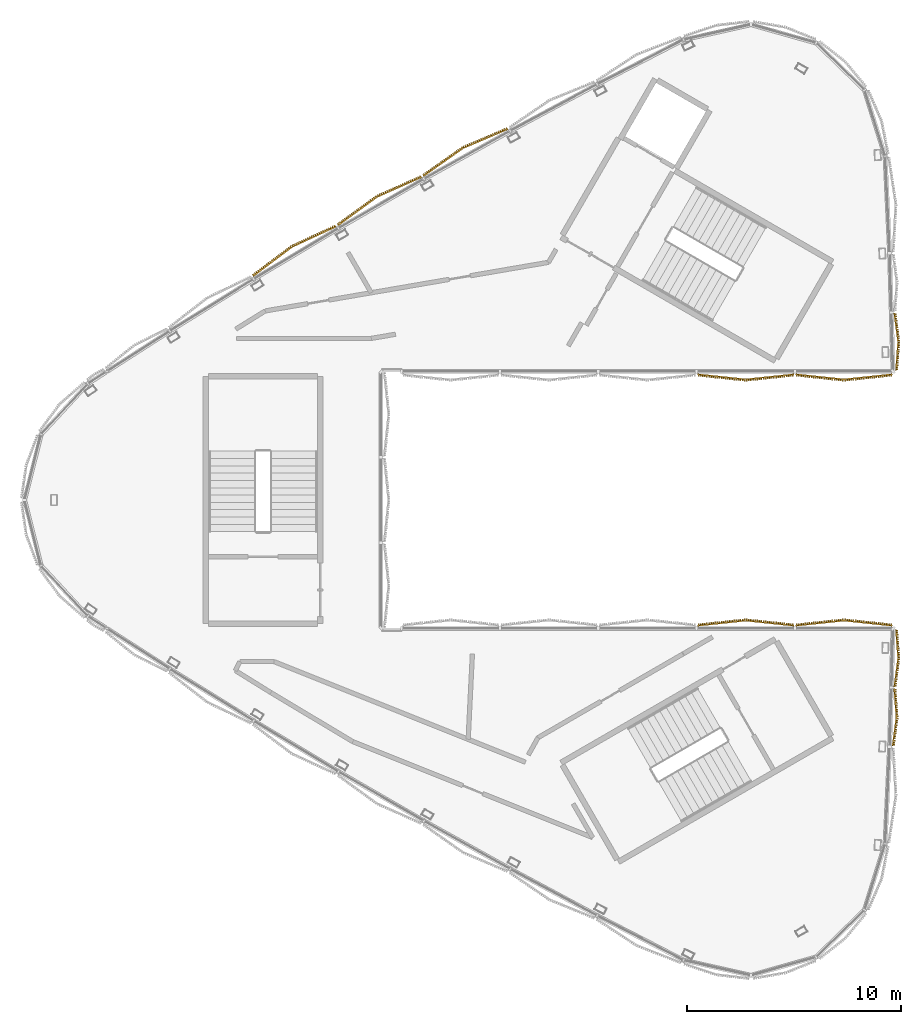
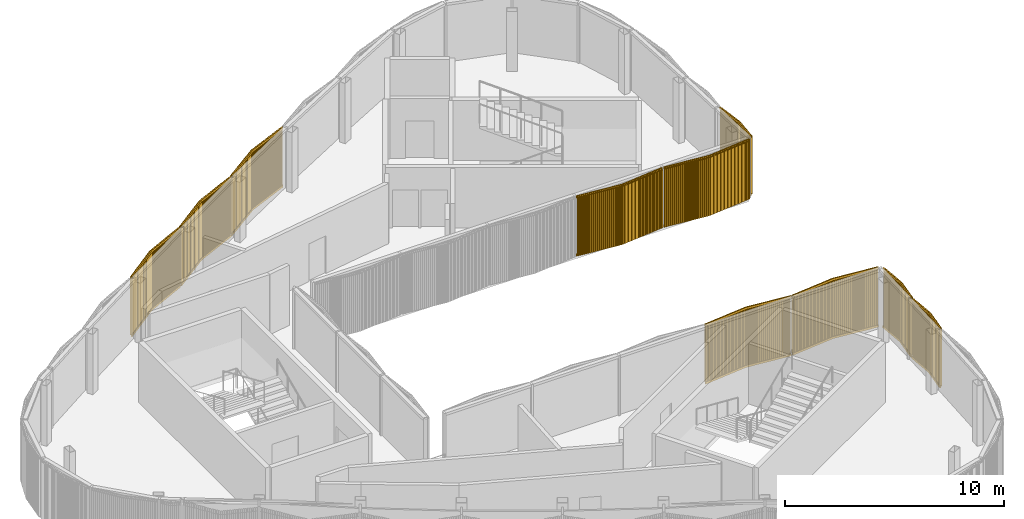
# One storey, part 13 of 16: 10 coverings.
"""IFC4 building model written with IfcOpenShell, lengths in metres."""

import ifcopenshell
import ifcopenshell.guid

model = None  # the IFC model being written
_history = None  # IfcOwnerHistory: only IFC2X3 demands one
_inside = {}  # id of a spatial element -> (the spatial element, [elements in it])
_under = {}  # id of a project, library or spatial element -> (it, [spatial elements below it])
_declared = {}  # id of a project -> (the project, [libraries it declares])
_typed = {}  # id of a type object -> (the type object, [elements of that type])
_made_of = {}  # id of a material, layer set ... -> (it, [elements and type objects made of it])


def new_model(schema):
    """Start an empty IFC model of exactly this schema.

    Asked for "IFC4X3", IfcOpenShell would pick the latest addendum, in which some entities
    have other attributes; the version numbers below select the first issue.
    IFC2X3 requires an IfcOwnerHistory on every rooted entity: one is made here for all.
    """
    global model, _history
    if schema == "IFC4X3":
        model = ifcopenshell.file(schema_version=(4, 3, 0, 0))
    else:
        model = ifcopenshell.file(schema=schema)
    _inside.clear()
    _under.clear()
    _declared.clear()
    _typed.clear()
    _made_of.clear()
    _history = None
    if model.schema == "IFC2X3":
        org = make("IfcOrganization", Name="unknown")
        user = make(
            "IfcPersonAndOrganization",
            ThePerson=make("IfcPerson", FamilyName="unknown"),
            TheOrganization=org,
        )
        app = make(
            "IfcApplication",
            ApplicationDeveloper=org,
            Version="unknown",
            ApplicationFullName="unknown",
            ApplicationIdentifier="unknown",
        )
        _history = make(
            "IfcOwnerHistory",
            OwningUser=user,
            OwningApplication=app,
            ChangeAction="ADDED",
            CreationDate=0,
        )
    return model


def make(cls, **values):
    """One entity of the class cls with the attributes given. An attribute that is None is left unset."""
    return model.create_entity(
        cls, **{name: value for name, value in values.items() if value is not None}
    )


def rooted(cls, **values):
    """An entity with a GlobalId (a new one), such as an element, a storey or a relation."""
    return make(cls, GlobalId=ifcopenshell.guid.new(), OwnerHistory=_history, **values)


def si_unit(unit_type, name, prefix=None):
    """IfcSIUnit, for example si_unit("LENGTHUNIT", "METRE", prefix="MILLI")."""
    return make("IfcSIUnit", UnitType=unit_type, Prefix=prefix, Name=name)


def assignment(units):
    """IfcUnitAssignment: the units of a project."""
    return None if units is None else make("IfcUnitAssignment", Units=units)


def point(xyz):
    """IfcCartesianPoint."""
    return None if xyz is None else make("IfcCartesianPoint", Coordinates=xyz)


def direction(xyz):
    """IfcDirection."""
    return None if xyz is None else make("IfcDirection", DirectionRatios=xyz)


def frame(location, z_axis=None, x_axis=None):
    """IfcAxis2Placement3D, a coordinate frame: its origin and axes. An axis left out is left unset."""
    return make(
        "IfcAxis2Placement3D",
        Location=point(location),
        Axis=direction(z_axis),
        RefDirection=direction(x_axis),
    )


def frame_2d(location, x_axis=None):
    """IfcAxis2Placement2D, a coordinate frame in the plane: its origin and x axis."""
    return make(
        "IfcAxis2Placement2D", Location=point(location), RefDirection=direction(x_axis)
    )


def origin():
    """The frame at (0, 0, 0) with its axes left unset."""
    return frame((0.0, 0.0, 0.0))


def place(relative_to, where):
    """IfcLocalPlacement: puts the frame where relative to a parent placement (None: the world)."""
    return make(
        "IfcLocalPlacement", PlacementRelTo=relative_to, RelativePlacement=where
    )


def context(
    kind, dimensions, precision=None, world=None, true_north=None, identifier=None
):
    """IfcGeometricRepresentationContext, for example the 3D "Model" context."""
    return make(
        "IfcGeometricRepresentationContext",
        ContextIdentifier=identifier,
        ContextType=kind,
        CoordinateSpaceDimension=dimensions,
        Precision=precision,
        WorldCoordinateSystem=world,
        TrueNorth=true_north,
    )


def subcontext(parent, identifier, kind, view, scale=None):
    """IfcGeometricRepresentationSubContext, for example "Body" below "Model"."""
    return make(
        "IfcGeometricRepresentationSubContext",
        ContextIdentifier=identifier,
        ContextType=kind,
        ParentContext=parent,
        TargetScale=scale,
        TargetView=view,
    )


def project(units=None, contexts=None):
    """IfcProject with its units and contexts."""
    return rooted(
        "IfcProject",
        Name="project",
        RepresentationContexts=contexts,
        UnitsInContext=assignment(units),
    )


def spatial(cls, under=None, at=None, **own):
    """A site, building, storey or space (cls), placed at a placement, below another one or the project."""
    s = rooted(cls, ObjectPlacement=at, **own)
    if under is not None:
        _under.setdefault(under.id(), (under, []))[1].append(s)
    return s


def profile(cls, at=None, kind="AREA", **sizes):
    """A parametric profile (cls). Its sizes go by their IFC names, for example OverallWidth=200.0."""
    return make(cls, ProfileType=kind, Position=at, **sizes)


def rectangle(**sizes):
    """IfcRectangleProfileDef."""
    return profile("IfcRectangleProfileDef", **sizes)


def extrude(swept, where, along, depth):
    """IfcExtrudedAreaSolid: the profile swept, set in the frame where, extruded along a direction by depth."""
    return make(
        "IfcExtrudedAreaSolid",
        SweptArea=swept,
        Position=where,
        ExtrudedDirection=direction(along),
        Depth=depth,
    )


def shape(context_of_items, identifier, shape_type, items):
    """IfcShapeRepresentation: the items that make up one representation, for example the "Body"."""
    return make(
        "IfcShapeRepresentation",
        ContextOfItems=context_of_items,
        RepresentationIdentifier=identifier,
        RepresentationType=shape_type,
        Items=items,
    )


def source(mapping_origin, context_of_items, identifier, shape_type, items):
    """IfcRepresentationMap: a shape defined once, which mapped items show again and again."""
    return make(
        "IfcRepresentationMap",
        MappingOrigin=mapping_origin,
        MappedRepresentation=shape(context_of_items, identifier, shape_type, items),
    )


def transform(
    local_origin,
    x_axis=None,
    y_axis=None,
    z_axis=None,
    scale=None,
    scale2=None,
    scale3=None,
    uniform=True,
):
    """IfcCartesianTransformationOperator3D, or its non-uniform kind. x_axis, y_axis, z_axis: its Axis1, 2, 3."""
    if uniform:
        return make(
            "IfcCartesianTransformationOperator3D",
            Axis1=direction(x_axis),
            Axis2=direction(y_axis),
            LocalOrigin=point(local_origin),
            Scale=scale,
            Axis3=direction(z_axis),
        )
    return make(
        "IfcCartesianTransformationOperator3DnonUniform",
        Axis1=direction(x_axis),
        Axis2=direction(y_axis),
        LocalOrigin=point(local_origin),
        Scale=scale,
        Axis3=direction(z_axis),
        Scale2=scale2,
        Scale3=scale3,
    )


def mapped(mapping_source, mapping_target):
    """IfcMappedItem: shows the shape of a source again, moved by a transform."""
    return make(
        "IfcMappedItem", MappingSource=mapping_source, MappingTarget=mapping_target
    )


def material(Name=None, Category=None):
    """IfcMaterial."""
    return make("IfcMaterial", Name=Name, Category=Category)


def made_of(thing, what):
    """Note that an element or type object is made of a material, layer set ...; save() writes the relation."""
    if what is not None:
        _made_of.setdefault(what.id(), (what, []))[1].append(thing)
    return thing


def type_object(cls, material=None, **own):
    """A type object (cls), such as IfcWallType, which elements share."""
    return made_of(rooted(cls, **own), material)


def element(
    cls,
    number,
    at=None,
    inside=None,
    cuts=None,
    type_object=None,
    material=None,
    context=None,
    identifier="Body",
    shape_type=None,
    held_by="IfcProductDefinitionShape",
    body=None,
    shapes=None,
    **own,
):
    """One element of the class cls, such as IfcWall. Its Tag is "e" and its number.

    at: its placement. inside: the storey or other place that contains it. cuts: it is an
    opening in that element (IfcRelVoidsElement). A single representation is given by context,
    identifier, shape_type and body (its items); several are given by shapes. held_by: the class
    of the entity that holds the representations. save() writes the other relations.
    """
    e = rooted(cls, Tag="e%d" % number, ObjectPlacement=at, **own)
    if body is not None:
        shapes = [shape(context, identifier, shape_type, body)]
    if shapes is not None:
        e.Representation = make(held_by, Representations=shapes)
    if inside is not None:
        _inside.setdefault(inside.id(), (inside, []))[1].append(e)
    if cuts is not None:
        rooted(
            "IfcRelVoidsElement", RelatingBuildingElement=cuts, RelatedOpeningElement=e
        )
    if type_object is not None:
        _typed.setdefault(type_object.id(), (type_object, []))[1].append(e)
    return made_of(e, material)


def aggregate(whole, parts):
    """IfcRelAggregates: a whole, such as a stair, and the parts it consists of."""
    return rooted("IfcRelAggregates", RelatingObject=whole, RelatedObjects=parts)


def save(model, path):
    """Write the relations noted so far, then the file.

    IfcRelAggregates (storeys below a building ...), IfcRelContainedInSpatialStructure (elements
    in a storey), IfcRelDefinesByType, IfcRelAssociatesMaterial and IfcRelDeclares: one each for
    every whole, place, type object, material and project.
    """
    for whole, parts in _under.values():
        aggregate(whole, parts)
    for where, things in _inside.values():
        rooted(
            "IfcRelContainedInSpatialStructure",
            RelatedElements=things,
            RelatingStructure=where,
        )
    for kind, things in _typed.values():
        rooted("IfcRelDefinesByType", RelatedObjects=things, RelatingType=kind)
    for what, things in _made_of.values():
        rooted("IfcRelAssociatesMaterial", RelatedObjects=things, RelatingMaterial=what)
    for by, libraries in _declared.values():
        rooted("IfcRelDeclares", RelatingContext=by, RelatedDefinitions=libraries)
    model.write(path)


model = new_model("IFC4")

# Units and contexts
model_context = context("Model", 3, precision=1e-05, world=origin(), true_north=direction((0.0, 1.0)))
body_context = subcontext(model_context, "Body", "Model", "MODEL_VIEW")
ifc_project = project(units=[si_unit("LENGTHUNIT", "METRE"), si_unit("AREAUNIT", "SQUARE_METRE"), si_unit("VOLUMEUNIT", "CUBIC_METRE"), si_unit("PLANEANGLEUNIT", "RADIAN"), si_unit("MASSUNIT", "GRAM", prefix="KILO")], contexts=[model_context])

# Site, building, storey
site_placement = place(None, origin())
site = spatial("IfcSite", under=ifc_project, at=site_placement, CompositionType="ELEMENT")
building_placement = place(site_placement, origin())
building = spatial("IfcBuilding", under=site, at=building_placement, Name="Tamra Quay Hotel Tower", CompositionType="ELEMENT")
storey_placement = place(building_placement, frame((0.0, 0.0, 324.199951171875)))
storey = spatial("IfcBuildingStorey", under=building, at=storey_placement, Name="Roof crown 2", CompositionType="ELEMENT", Elevation=324.199951171875)

# Coverings
ifc_material = material(Name="Terracotta baguette extruded", Category="masonry")
covering_type = type_object("IfcCoveringType", Name="BAGUETTE SCREEN CROWN H3350", PredefinedType="USERDEFINED", material=ifc_material)
shared_shape_1 = source(origin(), body_context, "Body", "SweptSolid", [
    extrude(rectangle(XDim=2.27490234375, YDim=0.06005859375, at=frame_2d((1.137451171875, 0.030029296875))), frame((-2.268798828125, -0.0576171875, -0.1201171875), z_axis=(0.0, 0.0, 1.0), x_axis=(0.994521895368, -0.104528463268, 0.0)), (0.0, 0.0, 1.0), 0.1201171875),
    extrude(rectangle(XDim=2.27490234375, YDim=0.06005859375, at=frame_2d((1.137451171875, 0.030029296875))), frame((-2.268798828125, -0.0576171875, -3.35009765625), z_axis=(0.0, 0.0, 1.0), x_axis=(0.994521895368, -0.104528463268, 0.0)), (0.0, 0.0, 1.0), 0.1201171875),
    extrude(rectangle(XDim=0.070068359375, YDim=0.10009765625, at=frame_2d((0.03515625, 0.050048828125))), frame((-2.248291015625, -0.133056640625, -3.2900390625)), (0.0, 0.0, 1.0), 3.22998046875),
    extrude(rectangle(XDim=0.070068359375, YDim=0.10009765625, at=frame_2d((0.03515625, 0.050048828125))), frame((-2.14990234375, -0.1435546875, -3.2900390625)), (0.0, 0.0, 1.0), 3.22998046875),
    extrude(rectangle(XDim=0.070068359375, YDim=0.10009765625, at=frame_2d((0.03515625, 0.050048828125))), frame((-2.051513671875, -0.15380859375, -3.2900390625)), (0.0, 0.0, 1.0), 3.22998046875),
    extrude(rectangle(XDim=0.070068359375, YDim=0.10009765625, at=frame_2d((0.03515625, 0.050048828125))), frame((-1.953125, -0.164306640625, -3.2900390625)), (0.0, 0.0, 1.0), 3.22998046875),
    extrude(rectangle(XDim=0.070068359375, YDim=0.10009765625, at=frame_2d((0.03515625, 0.050048828125))), frame((-1.854736328125, -0.174560546875, -3.2900390625)), (0.0, 0.0, 1.0), 3.22998046875),
    extrude(rectangle(XDim=0.070068359375, YDim=0.10009765625, at=frame_2d((0.03515625, 0.050048828125))), frame((-1.756591796875, -0.184814453125, -3.2900390625)), (0.0, 0.0, 1.0), 3.22998046875),
    extrude(rectangle(XDim=0.070068359375, YDim=0.10009765625, at=frame_2d((0.03515625, 0.050048828125))), frame((-1.658203125, -0.1953125, -3.2900390625)), (0.0, 0.0, 1.0), 3.22998046875),
    extrude(rectangle(XDim=0.070068359375, YDim=0.10009765625, at=frame_2d((0.03515625, 0.050048828125))), frame((-1.559814453125, -0.20556640625, -3.2900390625)), (0.0, 0.0, 1.0), 3.22998046875),
    extrude(rectangle(XDim=0.070068359375, YDim=0.10009765625, at=frame_2d((0.03515625, 0.050048828125))), frame((-1.46142578125, -0.2158203125, -3.2900390625)), (0.0, 0.0, 1.0), 3.22998046875),
    extrude(rectangle(XDim=0.070068359375, YDim=0.10009765625, at=frame_2d((0.03515625, 0.050048828125))), frame((-1.363037109375, -0.226318359375, -3.2900390625)), (0.0, 0.0, 1.0), 3.22998046875),
    extrude(rectangle(XDim=0.070068359375, YDim=0.10009765625, at=frame_2d((0.03515625, 0.050048828125))), frame((-1.2646484375, -0.236572265625, -3.2900390625)), (0.0, 0.0, 1.0), 3.22998046875),
    extrude(rectangle(XDim=0.070068359375, YDim=0.10009765625, at=frame_2d((0.03515625, 0.050048828125))), frame((-1.166259765625, -0.246826171875, -3.2900390625)), (0.0, 0.0, 1.0), 3.22998046875),
    extrude(rectangle(XDim=0.070068359375, YDim=0.10009765625, at=frame_2d((0.03515625, 0.050048828125))), frame((-1.06787109375, -0.25732421875, -3.2900390625)), (0.0, 0.0, 1.0), 3.22998046875),
    extrude(rectangle(XDim=0.070068359375, YDim=0.10009765625, at=frame_2d((0.03515625, 0.050048828125))), frame((-0.969482421875, -0.267578125, -3.2900390625)), (0.0, 0.0, 1.0), 3.22998046875),
    extrude(rectangle(XDim=0.070068359375, YDim=0.10009765625, at=frame_2d((0.03515625, 0.050048828125))), frame((-0.87109375, -0.27783203125, -3.2900390625)), (0.0, 0.0, 1.0), 3.22998046875),
    extrude(rectangle(XDim=0.070068359375, YDim=0.10009765625, at=frame_2d((0.03515625, 0.050048828125))), frame((-0.772705078125, -0.288330078125, -3.2900390625)), (0.0, 0.0, 1.0), 3.22998046875),
    extrude(rectangle(XDim=0.070068359375, YDim=0.10009765625, at=frame_2d((0.03515625, 0.050048828125))), frame((-0.67431640625, -0.298583984375, -3.2900390625)), (0.0, 0.0, 1.0), 3.22998046875),
    extrude(rectangle(XDim=0.070068359375, YDim=0.10009765625, at=frame_2d((0.03515625, 0.050048828125))), frame((-0.575927734375, -0.308837890625, -3.2900390625)), (0.0, 0.0, 1.0), 3.22998046875),
    extrude(rectangle(XDim=0.070068359375, YDim=0.10009765625, at=frame_2d((0.03515625, 0.050048828125))), frame((-0.4775390625, -0.3193359375, -3.2900390625)), (0.0, 0.0, 1.0), 3.22998046875),
    extrude(rectangle(XDim=0.070068359375, YDim=0.10009765625, at=frame_2d((0.03515625, 0.050048828125))), frame((-0.37939453125, -0.32958984375, -3.2900390625)), (0.0, 0.0, 1.0), 3.22998046875),
    extrude(rectangle(XDim=0.070068359375, YDim=0.10009765625, at=frame_2d((0.03515625, 0.050048828125))), frame((-0.281005859375, -0.33984375, -3.2900390625)), (0.0, 0.0, 1.0), 3.22998046875),
    extrude(rectangle(XDim=0.070068359375, YDim=0.10009765625, at=frame_2d((0.03515625, 0.050048828125))), frame((-0.1826171875, -0.350341796875, -3.2900390625)), (0.0, 0.0, 1.0), 3.22998046875),
    extrude(rectangle(XDim=0.070068359375, YDim=0.10009765625, at=frame_2d((0.03515625, 0.050048828125))), frame((-0.084228515625, -0.360595703125, -3.2900390625)), (0.0, 0.0, 1.0), 3.22998046875),
    extrude(rectangle(XDim=2.27490234375, YDim=0.06005859375, at=frame_2d((1.137451171875, 0.030029296875))), frame((0.00634765625, -0.29541015625, -0.1201171875), z_axis=(0.0, 0.0, 1.0), x_axis=(0.994521895368, 0.104528463268, 0.0)), (0.0, 0.0, 1.0), 0.1201171875),
    extrude(rectangle(XDim=2.27490234375, YDim=0.06005859375, at=frame_2d((1.137451171875, 0.030029296875))), frame((0.00634765625, -0.29541015625, -3.35009765625), z_axis=(0.0, 0.0, 1.0), x_axis=(0.994521895368, 0.104528463268, 0.0)), (0.0, 0.0, 1.0), 0.1201171875),
    extrude(rectangle(XDim=0.070068359375, YDim=0.10009765625, at=frame_2d((0.03515625, 0.050048828125))), frame((0.01416015625, -0.360595703125, -3.2900390625)), (0.0, 0.0, 1.0), 3.22998046875),
    extrude(rectangle(XDim=0.070068359375, YDim=0.10009765625, at=frame_2d((0.03515625, 0.050048828125))), frame((0.112548828125, -0.350341796875, -3.2900390625)), (0.0, 0.0, 1.0), 3.22998046875),
    extrude(rectangle(XDim=0.070068359375, YDim=0.10009765625, at=frame_2d((0.03515625, 0.050048828125))), frame((0.2109375, -0.33984375, -3.2900390625)), (0.0, 0.0, 1.0), 3.22998046875),
    extrude(rectangle(XDim=0.070068359375, YDim=0.10009765625, at=frame_2d((0.03515625, 0.050048828125))), frame((0.309326171875, -0.32958984375, -3.2900390625)), (0.0, 0.0, 1.0), 3.22998046875),
    extrude(rectangle(XDim=0.070068359375, YDim=0.10009765625, at=frame_2d((0.03515625, 0.050048828125))), frame((0.40771484375, -0.3193359375, -3.2900390625)), (0.0, 0.0, 1.0), 3.22998046875),
    extrude(rectangle(XDim=0.070068359375, YDim=0.10009765625, at=frame_2d((0.03515625, 0.050048828125))), frame((0.506103515625, -0.308837890625, -3.2900390625)), (0.0, 0.0, 1.0), 3.22998046875),
    extrude(rectangle(XDim=0.070068359375, YDim=0.10009765625, at=frame_2d((0.03515625, 0.050048828125))), frame((0.6044921875, -0.298583984375, -3.2900390625)), (0.0, 0.0, 1.0), 3.22998046875),
    extrude(rectangle(XDim=0.070068359375, YDim=0.10009765625, at=frame_2d((0.03515625, 0.050048828125))), frame((0.702880859375, -0.288330078125, -3.2900390625)), (0.0, 0.0, 1.0), 3.22998046875),
    extrude(rectangle(XDim=0.070068359375, YDim=0.10009765625, at=frame_2d((0.03515625, 0.050048828125))), frame((0.801025390625, -0.27783203125, -3.2900390625)), (0.0, 0.0, 1.0), 3.22998046875),
    extrude(rectangle(XDim=0.070068359375, YDim=0.10009765625, at=frame_2d((0.03515625, 0.050048828125))), frame((0.8994140625, -0.267578125, -3.2900390625)), (0.0, 0.0, 1.0), 3.22998046875),
    extrude(rectangle(XDim=0.070068359375, YDim=0.10009765625, at=frame_2d((0.03515625, 0.050048828125))), frame((0.997802734375, -0.25732421875, -3.2900390625)), (0.0, 0.0, 1.0), 3.22998046875),
    extrude(rectangle(XDim=0.070068359375, YDim=0.10009765625, at=frame_2d((0.03515625, 0.050048828125))), frame((1.09619140625, -0.246826171875, -3.2900390625)), (0.0, 0.0, 1.0), 3.22998046875),
    extrude(rectangle(XDim=0.070068359375, YDim=0.10009765625, at=frame_2d((0.03515625, 0.050048828125))), frame((1.194580078125, -0.236572265625, -3.2900390625)), (0.0, 0.0, 1.0), 3.22998046875),
    extrude(rectangle(XDim=0.070068359375, YDim=0.10009765625, at=frame_2d((0.03515625, 0.050048828125))), frame((1.29296875, -0.226318359375, -3.2900390625)), (0.0, 0.0, 1.0), 3.22998046875),
    extrude(rectangle(XDim=0.070068359375, YDim=0.10009765625, at=frame_2d((0.03515625, 0.050048828125))), frame((1.391357421875, -0.2158203125, -3.2900390625)), (0.0, 0.0, 1.0), 3.22998046875),
    extrude(rectangle(XDim=0.070068359375, YDim=0.10009765625, at=frame_2d((0.03515625, 0.050048828125))), frame((1.48974609375, -0.20556640625, -3.2900390625)), (0.0, 0.0, 1.0), 3.22998046875),
    extrude(rectangle(XDim=0.070068359375, YDim=0.10009765625, at=frame_2d((0.03515625, 0.050048828125))), frame((1.588134765625, -0.1953125, -3.2900390625)), (0.0, 0.0, 1.0), 3.22998046875),
    extrude(rectangle(XDim=0.070068359375, YDim=0.10009765625, at=frame_2d((0.03515625, 0.050048828125))), frame((1.6865234375, -0.184814453125, -3.2900390625)), (0.0, 0.0, 1.0), 3.22998046875),
    extrude(rectangle(XDim=0.070068359375, YDim=0.10009765625, at=frame_2d((0.03515625, 0.050048828125))), frame((1.784912109375, -0.174560546875, -3.2900390625)), (0.0, 0.0, 1.0), 3.22998046875),
    extrude(rectangle(XDim=0.070068359375, YDim=0.10009765625, at=frame_2d((0.03515625, 0.050048828125))), frame((1.88330078125, -0.164306640625, -3.2900390625)), (0.0, 0.0, 1.0), 3.22998046875),
    extrude(rectangle(XDim=0.070068359375, YDim=0.10009765625, at=frame_2d((0.03515625, 0.050048828125))), frame((1.981689453125, -0.15380859375, -3.2900390625)), (0.0, 0.0, 1.0), 3.22998046875),
    extrude(rectangle(XDim=0.070068359375, YDim=0.10009765625, at=frame_2d((0.03515625, 0.050048828125))), frame((2.079833984375, -0.1435546875, -3.2900390625)), (0.0, 0.0, 1.0), 3.22998046875),
    extrude(rectangle(XDim=0.070068359375, YDim=0.10009765625, at=frame_2d((0.03515625, 0.050048828125))), frame((2.17822265625, -0.133056640625, -3.2900390625)), (0.0, 0.0, 1.0), 3.22998046875),
])
for number, where, z_axis, x_axis, name in (
    (1, (-4.02734375, 16.203125, 3.35009765625), (0.0, 0.0, 1.0), (-0.873735522847, -0.486401311794, 0.0), "Baguette screen Roof crown 2.A.f07"),
    (2, (-8.041015625, 13.927490234375, 3.35009765625), (0.0, 0.0, 1.0), (-0.866025403784, -0.5, 0.0), "Baguette screen Roof crown 2.A.f08"),
    (3, (-12.018798828125, 11.58935546875, 3.35009765625), (0.0, 0.0, 1.0), (-0.858103653871, -0.513476503078, 0.0), "Baguette screen Roof crown 2.A.f09"),
):
    element("IfcCovering", number, at=place(storey_placement, frame(where, z_axis=z_axis, x_axis=x_axis)), inside=storey, type_object=covering_type, Name=name, ObjectType="BAGUETTE SCREEN", PredefinedType="USERDEFINED", context=body_context, shape_type="MappedRepresentation", body=[
        mapped(shared_shape_1, transform((0.0, 0.0, 0.0), scale=1.0)),
    ])
shared_shape_2 = source(origin(), body_context, "Body", "SweptSolid", [
    extrude(rectangle(XDim=2.264892578125, YDim=0.06005859375, at=frame_2d((1.13232421875, 0.030029296875))), frame((-2.2587890625, -0.0576171875, -0.1201171875), z_axis=(0.0, 0.0, 1.0), x_axis=(0.994521895368, -0.104528463268, 0.0)), (0.0, 0.0, 1.0), 0.1201171875),
    extrude(rectangle(XDim=2.264892578125, YDim=0.06005859375, at=frame_2d((1.13232421875, 0.030029296875))), frame((-2.2587890625, -0.0576171875, -3.35009765625), z_axis=(0.0, 0.0, 1.0), x_axis=(0.994521895368, -0.104528463268, 0.0)), (0.0, 0.0, 1.0), 0.1201171875),
    extrude(rectangle(XDim=0.070068359375, YDim=0.10009765625, at=frame_2d((0.03515625, 0.050048828125))), frame((-2.238525390625, -0.133056640625, -3.2900390625)), (0.0, 0.0, 1.0), 3.22998046875),
    extrude(rectangle(XDim=0.070068359375, YDim=0.10009765625, at=frame_2d((0.03515625, 0.050048828125))), frame((-2.140625, -0.1435546875, -3.2900390625)), (0.0, 0.0, 1.0), 3.22998046875),
    extrude(rectangle(XDim=0.070068359375, YDim=0.10009765625, at=frame_2d((0.03515625, 0.050048828125))), frame((-2.042724609375, -0.15380859375, -3.2900390625)), (0.0, 0.0, 1.0), 3.22998046875),
    extrude(rectangle(XDim=0.070068359375, YDim=0.10009765625, at=frame_2d((0.03515625, 0.050048828125))), frame((-1.94482421875, -0.1640625, -3.2900390625)), (0.0, 0.0, 1.0), 3.22998046875),
    extrude(rectangle(XDim=0.070068359375, YDim=0.10009765625, at=frame_2d((0.03515625, 0.050048828125))), frame((-1.8466796875, -0.17431640625, -3.2900390625)), (0.0, 0.0, 1.0), 3.22998046875),
    extrude(rectangle(XDim=0.070068359375, YDim=0.10009765625, at=frame_2d((0.03515625, 0.050048828125))), frame((-1.748779296875, -0.1845703125, -3.2900390625)), (0.0, 0.0, 1.0), 3.22998046875),
    extrude(rectangle(XDim=0.070068359375, YDim=0.10009765625, at=frame_2d((0.03515625, 0.050048828125))), frame((-1.65087890625, -0.19482421875, -3.2900390625)), (0.0, 0.0, 1.0), 3.22998046875),
    extrude(rectangle(XDim=0.070068359375, YDim=0.10009765625, at=frame_2d((0.03515625, 0.050048828125))), frame((-1.552978515625, -0.205078125, -3.2900390625)), (0.0, 0.0, 1.0), 3.22998046875),
    extrude(rectangle(XDim=0.070068359375, YDim=0.10009765625, at=frame_2d((0.03515625, 0.050048828125))), frame((-1.455078125, -0.215576171875, -3.2900390625)), (0.0, 0.0, 1.0), 3.22998046875),
    extrude(rectangle(XDim=0.070068359375, YDim=0.10009765625, at=frame_2d((0.03515625, 0.050048828125))), frame((-1.357177734375, -0.225830078125, -3.2900390625)), (0.0, 0.0, 1.0), 3.22998046875),
    extrude(rectangle(XDim=0.070068359375, YDim=0.10009765625, at=frame_2d((0.03515625, 0.050048828125))), frame((-1.25927734375, -0.236083984375, -3.2900390625)), (0.0, 0.0, 1.0), 3.22998046875),
    extrude(rectangle(XDim=0.070068359375, YDim=0.10009765625, at=frame_2d((0.03515625, 0.050048828125))), frame((-1.1611328125, -0.246337890625, -3.2900390625)), (0.0, 0.0, 1.0), 3.22998046875),
    extrude(rectangle(XDim=0.070068359375, YDim=0.10009765625, at=frame_2d((0.03515625, 0.050048828125))), frame((-1.063232421875, -0.256591796875, -3.2900390625)), (0.0, 0.0, 1.0), 3.22998046875),
    extrude(rectangle(XDim=0.070068359375, YDim=0.10009765625, at=frame_2d((0.03515625, 0.050048828125))), frame((-0.96533203125, -0.266845703125, -3.2900390625)), (0.0, 0.0, 1.0), 3.22998046875),
    extrude(rectangle(XDim=0.070068359375, YDim=0.10009765625, at=frame_2d((0.03515625, 0.050048828125))), frame((-0.867431640625, -0.27734375, -3.2900390625)), (0.0, 0.0, 1.0), 3.22998046875),
    extrude(rectangle(XDim=0.070068359375, YDim=0.10009765625, at=frame_2d((0.03515625, 0.050048828125))), frame((-0.76953125, -0.28759765625, -3.2900390625)), (0.0, 0.0, 1.0), 3.22998046875),
    extrude(rectangle(XDim=0.070068359375, YDim=0.10009765625, at=frame_2d((0.03515625, 0.050048828125))), frame((-0.671630859375, -0.2978515625, -3.2900390625)), (0.0, 0.0, 1.0), 3.22998046875),
    extrude(rectangle(XDim=0.070068359375, YDim=0.10009765625, at=frame_2d((0.03515625, 0.050048828125))), frame((-0.57373046875, -0.30810546875, -3.2900390625)), (0.0, 0.0, 1.0), 3.22998046875),
    extrude(rectangle(XDim=0.070068359375, YDim=0.10009765625, at=frame_2d((0.03515625, 0.050048828125))), frame((-0.475830078125, -0.318359375, -3.2900390625)), (0.0, 0.0, 1.0), 3.22998046875),
    extrude(rectangle(XDim=0.070068359375, YDim=0.10009765625, at=frame_2d((0.03515625, 0.050048828125))), frame((-0.377685546875, -0.32861328125, -3.2900390625)), (0.0, 0.0, 1.0), 3.22998046875),
    extrude(rectangle(XDim=0.070068359375, YDim=0.10009765625, at=frame_2d((0.03515625, 0.050048828125))), frame((-0.27978515625, -0.339111328125, -3.2900390625)), (0.0, 0.0, 1.0), 3.22998046875),
    extrude(rectangle(XDim=0.070068359375, YDim=0.10009765625, at=frame_2d((0.03515625, 0.050048828125))), frame((-0.181884765625, -0.349365234375, -3.2900390625)), (0.0, 0.0, 1.0), 3.22998046875),
    extrude(rectangle(XDim=0.070068359375, YDim=0.10009765625, at=frame_2d((0.03515625, 0.050048828125))), frame((-0.083984375, -0.359619140625, -3.2900390625)), (0.0, 0.0, 1.0), 3.22998046875),
    extrude(rectangle(XDim=2.264892578125, YDim=0.06005859375, at=frame_2d((1.13232421875, 0.030029296875))), frame((0.00634765625, -0.29443359375, -0.1201171875), z_axis=(0.0, 0.0, 1.0), x_axis=(0.994521895368, 0.104528463268, 0.0)), (0.0, 0.0, 1.0), 0.1201171875),
    extrude(rectangle(XDim=2.264892578125, YDim=0.06005859375, at=frame_2d((1.13232421875, 0.030029296875))), frame((0.00634765625, -0.29443359375, -3.35009765625), z_axis=(0.0, 0.0, 1.0), x_axis=(0.994521895368, 0.104528463268, 0.0)), (0.0, 0.0, 1.0), 0.1201171875),
    extrude(rectangle(XDim=0.070068359375, YDim=0.10009765625, at=frame_2d((0.03515625, 0.050048828125))), frame((0.013916015625, -0.359619140625, -3.2900390625)), (0.0, 0.0, 1.0), 3.22998046875),
    extrude(rectangle(XDim=0.070068359375, YDim=0.10009765625, at=frame_2d((0.03515625, 0.050048828125))), frame((0.11181640625, -0.349365234375, -3.2900390625)), (0.0, 0.0, 1.0), 3.22998046875),
    extrude(rectangle(XDim=0.070068359375, YDim=0.10009765625, at=frame_2d((0.03515625, 0.050048828125))), frame((0.2099609375, -0.339111328125, -3.2900390625)), (0.0, 0.0, 1.0), 3.22998046875),
    extrude(rectangle(XDim=0.070068359375, YDim=0.10009765625, at=frame_2d((0.03515625, 0.050048828125))), frame((0.307861328125, -0.32861328125, -3.2900390625)), (0.0, 0.0, 1.0), 3.22998046875),
    extrude(rectangle(XDim=0.070068359375, YDim=0.10009765625, at=frame_2d((0.03515625, 0.050048828125))), frame((0.40576171875, -0.318359375, -3.2900390625)), (0.0, 0.0, 1.0), 3.22998046875),
    extrude(rectangle(XDim=0.070068359375, YDim=0.10009765625, at=frame_2d((0.03515625, 0.050048828125))), frame((0.503662109375, -0.30810546875, -3.2900390625)), (0.0, 0.0, 1.0), 3.22998046875),
    extrude(rectangle(XDim=0.070068359375, YDim=0.10009765625, at=frame_2d((0.03515625, 0.050048828125))), frame((0.6015625, -0.2978515625, -3.2900390625)), (0.0, 0.0, 1.0), 3.22998046875),
    extrude(rectangle(XDim=0.070068359375, YDim=0.10009765625, at=frame_2d((0.03515625, 0.050048828125))), frame((0.699462890625, -0.28759765625, -3.2900390625)), (0.0, 0.0, 1.0), 3.22998046875),
    extrude(rectangle(XDim=0.070068359375, YDim=0.10009765625, at=frame_2d((0.03515625, 0.050048828125))), frame((0.79736328125, -0.27734375, -3.2900390625)), (0.0, 0.0, 1.0), 3.22998046875),
    extrude(rectangle(XDim=0.070068359375, YDim=0.10009765625, at=frame_2d((0.03515625, 0.050048828125))), frame((0.895263671875, -0.266845703125, -3.2900390625)), (0.0, 0.0, 1.0), 3.22998046875),
    extrude(rectangle(XDim=0.070068359375, YDim=0.10009765625, at=frame_2d((0.03515625, 0.050048828125))), frame((0.993408203125, -0.256591796875, -3.2900390625)), (0.0, 0.0, 1.0), 3.22998046875),
    extrude(rectangle(XDim=0.070068359375, YDim=0.10009765625, at=frame_2d((0.03515625, 0.050048828125))), frame((1.09130859375, -0.246337890625, -3.2900390625)), (0.0, 0.0, 1.0), 3.22998046875),
    extrude(rectangle(XDim=0.070068359375, YDim=0.10009765625, at=frame_2d((0.03515625, 0.050048828125))), frame((1.189208984375, -0.236083984375, -3.2900390625)), (0.0, 0.0, 1.0), 3.22998046875),
    extrude(rectangle(XDim=0.070068359375, YDim=0.10009765625, at=frame_2d((0.03515625, 0.050048828125))), frame((1.287109375, -0.225830078125, -3.2900390625)), (0.0, 0.0, 1.0), 3.22998046875),
    extrude(rectangle(XDim=0.070068359375, YDim=0.10009765625, at=frame_2d((0.03515625, 0.050048828125))), frame((1.385009765625, -0.215576171875, -3.2900390625)), (0.0, 0.0, 1.0), 3.22998046875),
    extrude(rectangle(XDim=0.070068359375, YDim=0.10009765625, at=frame_2d((0.03515625, 0.050048828125))), frame((1.48291015625, -0.205078125, -3.2900390625)), (0.0, 0.0, 1.0), 3.22998046875),
    extrude(rectangle(XDim=0.070068359375, YDim=0.10009765625, at=frame_2d((0.03515625, 0.050048828125))), frame((1.580810546875, -0.19482421875, -3.2900390625)), (0.0, 0.0, 1.0), 3.22998046875),
    extrude(rectangle(XDim=0.070068359375, YDim=0.10009765625, at=frame_2d((0.03515625, 0.050048828125))), frame((1.678955078125, -0.1845703125, -3.2900390625)), (0.0, 0.0, 1.0), 3.22998046875),
    extrude(rectangle(XDim=0.070068359375, YDim=0.10009765625, at=frame_2d((0.03515625, 0.050048828125))), frame((1.77685546875, -0.17431640625, -3.2900390625)), (0.0, 0.0, 1.0), 3.22998046875),
    extrude(rectangle(XDim=0.070068359375, YDim=0.10009765625, at=frame_2d((0.03515625, 0.050048828125))), frame((1.874755859375, -0.1640625, -3.2900390625)), (0.0, 0.0, 1.0), 3.22998046875),
    extrude(rectangle(XDim=0.070068359375, YDim=0.10009765625, at=frame_2d((0.03515625, 0.050048828125))), frame((1.97265625, -0.15380859375, -3.2900390625)), (0.0, 0.0, 1.0), 3.22998046875),
    extrude(rectangle(XDim=0.070068359375, YDim=0.10009765625, at=frame_2d((0.03515625, 0.050048828125))), frame((2.070556640625, -0.1435546875, -3.2900390625)), (0.0, 0.0, 1.0), 3.22998046875),
    extrude(rectangle(XDim=0.070068359375, YDim=0.10009765625, at=frame_2d((0.03515625, 0.050048828125))), frame((2.16845703125, -0.133056640625, -3.2900390625)), (0.0, 0.0, 1.0), 3.22998046875),
])
for number, where, z_axis, x_axis, name in (
    (4, (9.037353515625, 5.902099609375, 3.35009765625), (0.0, 0.0, 1.0), (1.0, 0.0, 0.0), "Baguette screen Roof crown 2.A.f18"),
    (5, (13.6298828125, 5.902099609375, 3.35009765625), (0.0, 0.0, 1.0), (1.0, 0.0, 0.0), "Baguette screen Roof crown 2.A.f19"),
    (6, (13.6298828125, -5.902099609375, 3.35009765625), (0.0, 0.0, 1.0), (-1.0, 0.0, 0.0), "Baguette screen Roof crown 2.B.f00"),
    (7, (9.037353515625, -5.902099609375, 3.35009765625), (0.0, 0.0, 1.0), (-1.0, 0.0, 0.0), "Baguette screen Roof crown 2.B.f01"),
):
    element("IfcCovering", number, at=place(storey_placement, frame(where, z_axis=z_axis, x_axis=x_axis)), inside=storey, type_object=covering_type, Name=name, ObjectType="BAGUETTE SCREEN", PredefinedType="USERDEFINED", context=body_context, shape_type="MappedRepresentation", body=[
        mapped(shared_shape_2, transform((0.0, 0.0, 0.0), scale=1.0)),
    ])
shared_shape_3 = source(origin(), body_context, "Body", "SweptSolid", [
    extrude(rectangle(XDim=1.349853515625, YDim=0.06005859375, at=frame_2d((0.6748046875, 0.030029296875))), frame((-1.348876953125, -0.0576171875, -0.1201171875), z_axis=(0.0, 0.0, 1.0), x_axis=(0.994521895368, -0.104528463268, 0.0)), (0.0, 0.0, 1.0), 0.1201171875),
    extrude(rectangle(XDim=1.349853515625, YDim=0.06005859375, at=frame_2d((0.6748046875, 0.030029296875))), frame((-1.348876953125, -0.0576171875, -3.35009765625), z_axis=(0.0, 0.0, 1.0), x_axis=(0.994521895368, -0.104528463268, 0.0)), (0.0, 0.0, 1.0), 0.1201171875),
    extrude(rectangle(XDim=0.070068359375, YDim=0.10009765625, at=frame_2d((0.03515625, 0.050048828125))), frame((-1.325927734375, -0.133544921875, -3.2900390625)), (0.0, 0.0, 1.0), 3.22998046875),
    extrude(rectangle(XDim=0.070068359375, YDim=0.10009765625, at=frame_2d((0.03515625, 0.050048828125))), frame((-1.22265625, -0.144287109375, -3.2900390625)), (0.0, 0.0, 1.0), 3.22998046875),
    extrude(rectangle(XDim=0.070068359375, YDim=0.10009765625, at=frame_2d((0.03515625, 0.050048828125))), frame((-1.119384765625, -0.155029296875, -3.2900390625)), (0.0, 0.0, 1.0), 3.22998046875),
    extrude(rectangle(XDim=0.070068359375, YDim=0.10009765625, at=frame_2d((0.03515625, 0.050048828125))), frame((-1.01611328125, -0.166015625, -3.2900390625)), (0.0, 0.0, 1.0), 3.22998046875),
    extrude(rectangle(XDim=0.070068359375, YDim=0.10009765625, at=frame_2d((0.03515625, 0.050048828125))), frame((-0.912841796875, -0.1767578125, -3.2900390625)), (0.0, 0.0, 1.0), 3.22998046875),
    extrude(rectangle(XDim=0.070068359375, YDim=0.10009765625, at=frame_2d((0.03515625, 0.050048828125))), frame((-0.8095703125, -0.187744140625, -3.2900390625)), (0.0, 0.0, 1.0), 3.22998046875),
    extrude(rectangle(XDim=0.070068359375, YDim=0.10009765625, at=frame_2d((0.03515625, 0.050048828125))), frame((-0.706298828125, -0.198486328125, -3.2900390625)), (0.0, 0.0, 1.0), 3.22998046875),
    extrude(rectangle(XDim=0.070068359375, YDim=0.10009765625, at=frame_2d((0.03515625, 0.050048828125))), frame((-0.60302734375, -0.20947265625, -3.2900390625)), (0.0, 0.0, 1.0), 3.22998046875),
    extrude(rectangle(XDim=0.070068359375, YDim=0.10009765625, at=frame_2d((0.03515625, 0.050048828125))), frame((-0.499755859375, -0.22021484375, -3.2900390625)), (0.0, 0.0, 1.0), 3.22998046875),
    extrude(rectangle(XDim=0.070068359375, YDim=0.10009765625, at=frame_2d((0.03515625, 0.050048828125))), frame((-0.396484375, -0.231201171875, -3.2900390625)), (0.0, 0.0, 1.0), 3.22998046875),
    extrude(rectangle(XDim=0.070068359375, YDim=0.10009765625, at=frame_2d((0.03515625, 0.050048828125))), frame((-0.293212890625, -0.241943359375, -3.2900390625)), (0.0, 0.0, 1.0), 3.22998046875),
    extrude(rectangle(XDim=0.070068359375, YDim=0.10009765625, at=frame_2d((0.03515625, 0.050048828125))), frame((-0.18994140625, -0.2529296875, -3.2900390625)), (0.0, 0.0, 1.0), 3.22998046875),
    extrude(rectangle(XDim=0.070068359375, YDim=0.10009765625, at=frame_2d((0.03515625, 0.050048828125))), frame((-0.086669921875, -0.263671875, -3.2900390625)), (0.0, 0.0, 1.0), 3.22998046875),
    extrude(rectangle(XDim=1.349853515625, YDim=0.06005859375, at=frame_2d((0.6748046875, 0.030029296875))), frame((0.00634765625, -0.19873046875, -0.1201171875), z_axis=(0.0, 0.0, 1.0), x_axis=(0.994521895368, 0.104528463268, 0.0)), (0.0, 0.0, 1.0), 0.1201171875),
    extrude(rectangle(XDim=1.349853515625, YDim=0.06005859375, at=frame_2d((0.6748046875, 0.030029296875))), frame((0.00634765625, -0.19873046875, -3.35009765625), z_axis=(0.0, 0.0, 1.0), x_axis=(0.994521895368, 0.104528463268, 0.0)), (0.0, 0.0, 1.0), 0.1201171875),
    extrude(rectangle(XDim=0.070068359375, YDim=0.10009765625, at=frame_2d((0.03515625, 0.050048828125))), frame((0.0166015625, -0.263671875, -3.2900390625)), (0.0, 0.0, 1.0), 3.22998046875),
    extrude(rectangle(XDim=0.070068359375, YDim=0.10009765625, at=frame_2d((0.03515625, 0.050048828125))), frame((0.119873046875, -0.2529296875, -3.2900390625)), (0.0, 0.0, 1.0), 3.22998046875),
    extrude(rectangle(XDim=0.070068359375, YDim=0.10009765625, at=frame_2d((0.03515625, 0.050048828125))), frame((0.22314453125, -0.241943359375, -3.2900390625)), (0.0, 0.0, 1.0), 3.22998046875),
    extrude(rectangle(XDim=0.070068359375, YDim=0.10009765625, at=frame_2d((0.03515625, 0.050048828125))), frame((0.326416015625, -0.231201171875, -3.2900390625)), (0.0, 0.0, 1.0), 3.22998046875),
    extrude(rectangle(XDim=0.070068359375, YDim=0.10009765625, at=frame_2d((0.03515625, 0.050048828125))), frame((0.4296875, -0.22021484375, -3.2900390625)), (0.0, 0.0, 1.0), 3.22998046875),
    extrude(rectangle(XDim=0.070068359375, YDim=0.10009765625, at=frame_2d((0.03515625, 0.050048828125))), frame((0.532958984375, -0.20947265625, -3.2900390625)), (0.0, 0.0, 1.0), 3.22998046875),
    extrude(rectangle(XDim=0.070068359375, YDim=0.10009765625, at=frame_2d((0.03515625, 0.050048828125))), frame((0.63623046875, -0.198486328125, -3.2900390625)), (0.0, 0.0, 1.0), 3.22998046875),
    extrude(rectangle(XDim=0.070068359375, YDim=0.10009765625, at=frame_2d((0.03515625, 0.050048828125))), frame((0.739501953125, -0.187744140625, -3.2900390625)), (0.0, 0.0, 1.0), 3.22998046875),
    extrude(rectangle(XDim=0.070068359375, YDim=0.10009765625, at=frame_2d((0.03515625, 0.050048828125))), frame((0.8427734375, -0.1767578125, -3.2900390625)), (0.0, 0.0, 1.0), 3.22998046875),
    extrude(rectangle(XDim=0.070068359375, YDim=0.10009765625, at=frame_2d((0.03515625, 0.050048828125))), frame((0.946044921875, -0.166015625, -3.2900390625)), (0.0, 0.0, 1.0), 3.22998046875),
    extrude(rectangle(XDim=0.070068359375, YDim=0.10009765625, at=frame_2d((0.03515625, 0.050048828125))), frame((1.04931640625, -0.155029296875, -3.2900390625)), (0.0, 0.0, 1.0), 3.22998046875),
    extrude(rectangle(XDim=0.070068359375, YDim=0.10009765625, at=frame_2d((0.03515625, 0.050048828125))), frame((1.152587890625, -0.144287109375, -3.2900390625)), (0.0, 0.0, 1.0), 3.22998046875),
    extrude(rectangle(XDim=0.070068359375, YDim=0.10009765625, at=frame_2d((0.03515625, 0.050048828125))), frame((1.255859375, -0.133544921875, -3.2900390625)), (0.0, 0.0, 1.0), 3.22998046875),
])
for number, where, z_axis, x_axis, name in (
    (8, (15.984619140625, 7.385009765625, 3.35009765625), (0.0, 0.0, 1.0), (-0.028649831581, 0.999589509324, 0.0), "Baguette screen Roof crown 2.A.f20"),
    (9, (15.905517578125, -10.149169921875, 3.35009765625), (0.0, 0.0, 1.0), (0.028649831581, 0.999589509324, 0.0), "Baguette screen Roof crown 2.B.f20"),
    (10, (15.984619140625, -7.385009765625, 3.35009765625), (0.0, 0.0, 1.0), (0.028649831581, 0.999589509324, 0.0), "Baguette screen Roof crown 2.B.f21"),
):
    element("IfcCovering", number, at=place(storey_placement, frame(where, z_axis=z_axis, x_axis=x_axis)), inside=storey, type_object=covering_type, Name=name, ObjectType="BAGUETTE SCREEN", PredefinedType="USERDEFINED", context=body_context, shape_type="MappedRepresentation", body=[
        mapped(shared_shape_3, transform((0.0, 0.0, 0.0), scale=1.0)),
    ])

save(model, "model.ifc")
